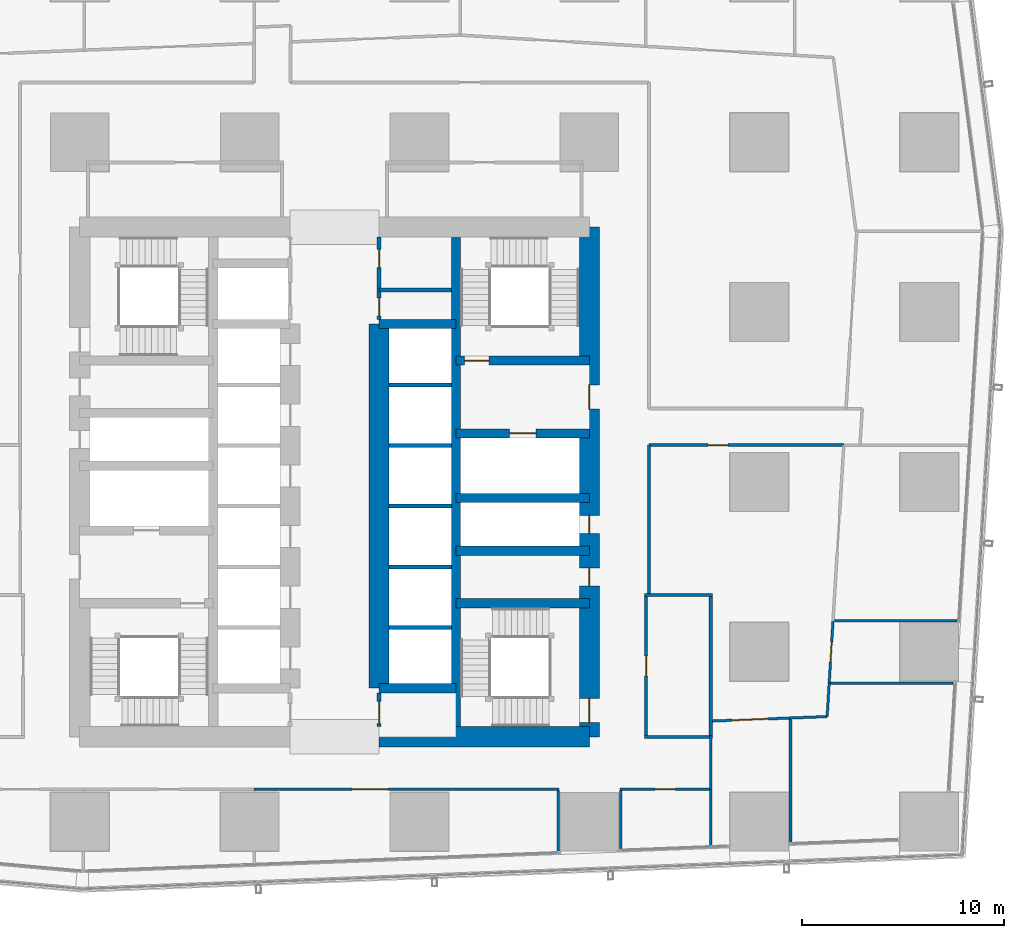
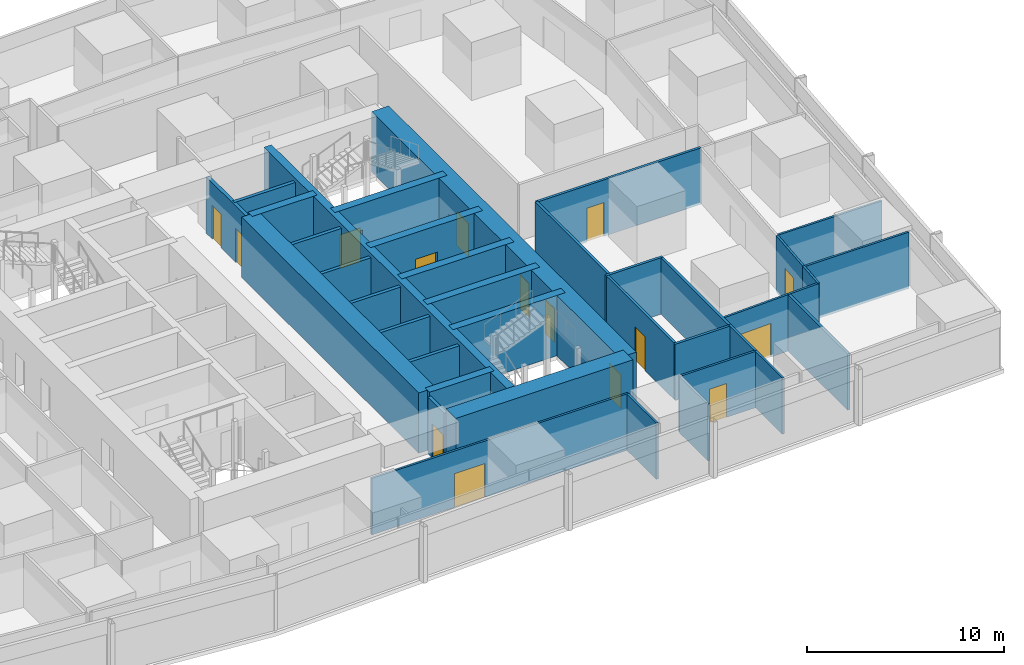
# One storey, part 30 of 40: 38 walls, 15 doors, 15 openings.
"""IFC4 building model written with IfcOpenShell, lengths in metres."""

from ifc_helpers import new_model, si_unit, direction, frame, frame_2d, origin, place, context, subcontext, project, spatial, rectangle, extrude, material, layer, layer_set, type_object, element, fill, save


model = new_model("IFC4")

# Units and contexts
model_context = context("Model", 3, precision=1e-05, world=origin(), true_north=direction((0.0, 1.0)))
body_context = subcontext(model_context, "Body", "Model", "MODEL_VIEW")
ifc_project = project(units=[si_unit("LENGTHUNIT", "METRE"), si_unit("AREAUNIT", "SQUARE_METRE"), si_unit("VOLUMEUNIT", "CUBIC_METRE"), si_unit("PLANEANGLEUNIT", "RADIAN"), si_unit("MASSUNIT", "GRAM", prefix="KILO")], contexts=[model_context])

# Site, building, storey
site_placement = place(None, origin())
site = spatial("IfcSite", under=ifc_project, at=site_placement, CompositionType="ELEMENT")
building_placement = place(site_placement, origin())
building = spatial("IfcBuilding", under=site, at=building_placement, Name="Rekha Terrace Tower", CompositionType="ELEMENT")
storey_placement = place(building_placement, frame((0.0, 0.0, 95.300048828125)))
storey = spatial("IfcBuildingStorey", under=building, at=storey_placement, Name="L23", CompositionType="ELEMENT", Elevation=95.300048828125)

# Walls
ifc_material_1 = material(Name="Concrete M70", Category="concrete")
ifc_layer_1 = layer(ifc_material_1, 0.449951171875)
ifc_layer_set_1 = layer_set([ifc_layer_1], Name="Concrete M70")
wall_type_1 = type_object("IfcWallType", Name="CI2 450 core internal shear wall", PredefinedType="SHEAR", material=ifc_layer_set_1)
wall_1_placement = place(storey_placement, frame((43.800048828125, 21.0, 0.0), z_axis=(0.0, 0.0, 1.0), x_axis=(0.0, 1.0, 0.0)))
element("IfcWall", 1, at=wall_1_placement, inside=storey, type_object=wall_type_1, Name="Core wall X438 L23", PredefinedType="SHEAR", context=body_context, shape_type="SweptSolid", body=[
    extrude(rectangle(XDim=25.199951171875, YDim=0.449951171875, at=frame_2d((12.60009765625, 0.0))), origin(), (0.0, 0.0, 1.0), 3.75),
])
for number, where, z_axis, x_axis, name in (
    (2, (40.0, 23.39990234375, 0.0), (0.0, 0.0, 1.0), (1.0, 0.0, 0.0), "Core wall Y234E L23"),
    (3, (40.0, 41.39990234375, 0.0), (0.0, 0.0, 1.0), (1.0, 0.0, 0.0), "Core wall Y414E L23"),
):
    element("IfcWall", number, at=place(storey_placement, frame(where, z_axis=z_axis, x_axis=x_axis)), inside=storey, type_object=wall_type_1, Name=name, PredefinedType="SHEAR", context=body_context, shape_type="SweptSolid", body=[
        extrude(rectangle(XDim=3.800048828125, YDim=0.449951171875, at=frame_2d((1.89990234375, 0.0))), origin(), (0.0, 0.0, 1.0), 3.75),
    ])
for number, where, z_axis, x_axis, name in (
    (4, (43.800048828125, 27.60009765625, 0.0), (0.0, 0.0, 1.0), (1.0, 0.0, 0.0), "Core wall Y276E L23"),
    (5, (43.800048828125, 30.199951171875, 0.0), (0.0, 0.0, 1.0), (1.0, 0.0, 0.0), "Core wall Y302E L23"),
    (6, (43.800048828125, 32.800048828125, 0.0), (0.0, 0.0, 1.0), (1.0, 0.0, 0.0), "Core wall Y328E L23"),
):
    element("IfcWall", number, at=place(storey_placement, frame(where, z_axis=z_axis, x_axis=x_axis)), inside=storey, type_object=wall_type_1, Name=name, PredefinedType="SHEAR", context=body_context, shape_type="SweptSolid", body=[
        extrude(rectangle(XDim=6.599853515625, YDim=0.449951171875, at=frame_2d((3.2998046875, 0.0))), origin(), (0.0, 0.0, 1.0), 3.75),
    ])

# Wall, opening, door
wall_2_placement = place(storey_placement, frame((43.800048828125, 36.0, 0.0), z_axis=(0.0, 0.0, 1.0), x_axis=(1.0, 0.0, 0.0)))
wall_2 = element("IfcWall", 7, at=wall_2_placement, inside=storey, type_object=wall_type_1, Name="Core wall Y360E L23", PredefinedType="SHEAR", context=body_context, shape_type="SweptSolid", body=[
    extrude(rectangle(XDim=6.599853515625, YDim=0.449951171875, at=frame_2d((3.2998046875, 0.0))), origin(), (0.0, 0.0, 1.0), 3.75),
])
opening_1_placement = place(wall_2_placement, frame((2.64990234375, 0.0, 0.0)))
opening_1 = element("IfcOpeningElement", 8, at=opening_1_placement, cuts=wall_2, Name="Opening LD2", PredefinedType="OPENING", context=body_context, shape_type="SweptSolid", body=[
    extrude(rectangle(XDim=1.300048828125, YDim=2.10009765625, at=frame_2d((0.64990234375, 1.050048828125))), frame((0.0, 0.23486328125, 0.0), z_axis=(0.0, -1.0, 0.0), x_axis=(1.0, 0.0, 0.0)), (0.0, 0.0, 1.0), 0.469970703125),
])
ifc_material_2 = material(Name="Stainless steel sliding landing door", Category="steel")
door_type_1 = type_object("IfcDoorType", Name="LD2 1300x2100 fire lift landing door", OperationType="SLIDING_TO_LEFT", PredefinedType="USERDEFINED", material=ifc_material_2)
door_1_placement = place(opening_1_placement, origin())
door_1 = element("IfcDoor", 9, at=door_1_placement, inside=storey, type_object=door_type_1, Name="Lift FL2 landing door L23", ObjectType="LIFT LANDING DOOR", OperationType="SLIDING_TO_LEFT", OverallHeight=2.10009765625, OverallWidth=1.300048828125, PredefinedType="USERDEFINED", context=body_context, shape_type="SweptSolid", body=[
    extrude(rectangle(XDim=1.300048828125, YDim=2.10009765625, at=frame_2d((0.64990234375, 1.050048828125))), frame((0.0, 0.02490234375, 0.0), z_axis=(0.0, -1.0, 0.0), x_axis=(1.0, 0.0, 0.0)), (0.0, 0.0, 1.0), 0.050048828125),
])
fill(opening_1, door_1)

wall_3_placement = place(storey_placement, frame((43.800048828125, 39.60009765625, 0.0), z_axis=(0.0, 0.0, 1.0), x_axis=(1.0, 0.0, 0.0)))
wall_3 = element("IfcWall", 10, at=wall_3_placement, inside=storey, type_object=wall_type_1, Name="Core wall Y396E L23", PredefinedType="SHEAR", context=body_context, shape_type="SweptSolid", body=[
    extrude(rectangle(XDim=6.599853515625, YDim=0.449951171875, at=frame_2d((3.2998046875, 0.0))), origin(), (0.0, 0.0, 1.0), 3.75),
])
opening_2_placement = place(wall_3_placement, frame((0.425048828125, 0.0, 0.0)))
opening_2 = element("IfcOpeningElement", 11, at=opening_2_placement, cuts=wall_3, Name="Opening D1", PredefinedType="OPENING", context=body_context, shape_type="SweptSolid", body=[
    extrude(rectangle(XDim=1.199951171875, YDim=2.10009765625, at=frame_2d((0.60009765625, 1.050048828125))), frame((0.0, 0.23486328125, 0.0), z_axis=(0.0, -1.0, 0.0), x_axis=(1.0, 0.0, 0.0)), (0.0, 0.0, 1.0), 0.469970703125),
])
ifc_material_3 = material(Name="Steel fire door", Category="steel")
door_type_2 = type_object("IfcDoorType", Name="D1 1200x2100 stair fire door", OperationType="SINGLE_SWING_RIGHT", PredefinedType="DOOR", material=ifc_material_3)
door_2_placement = place(opening_2_placement, origin())
door_2 = element("IfcDoor", 12, at=door_2_placement, inside=storey, type_object=door_type_2, Name="Stair ST2 door L23", OperationType="SINGLE_SWING_RIGHT", OverallHeight=2.10009765625, OverallWidth=1.199951171875, PredefinedType="DOOR", context=body_context, shape_type="SweptSolid", body=[
    extrude(rectangle(XDim=1.199951171875, YDim=2.10009765625, at=frame_2d((0.60009765625, 1.050048828125))), frame((0.0, 0.02490234375, 0.0), z_axis=(0.0, -1.0, 0.0), x_axis=(1.0, 0.0, 0.0)), (0.0, 0.0, 1.0), 0.050048828125),
])
fill(opening_2, door_2)

# Walls
ifc_layer_2 = layer(ifc_material_1, 1.0)
ifc_layer_set_2 = layer_set([ifc_layer_2], Name="Concrete M70")
wall_type_2 = type_object("IfcWallType", Name="LW2 1000 core lobby wall at an outrigger level", PredefinedType="SHEAR", material=ifc_layer_set_2)
wall_4_placement = place(storey_placement, frame((40.0, 23.39990234375, 0.0), z_axis=(0.0, 0.0, 1.0), x_axis=(0.0, 1.0, 0.0)))
element("IfcWall", 13, at=wall_4_placement, inside=storey, type_object=wall_type_2, Name="Core wall X400 L23", PredefinedType="SHEAR", context=body_context, shape_type="SweptSolid", body=[
    extrude(rectangle(XDim=18.0, YDim=1.0, at=frame_2d((9.0, 0.0))), origin(), (0.0, 0.0, 1.0), 3.75),
])
ifc_layer_3 = layer(ifc_material_1, 1.0)
ifc_layer_set_3 = layer_set([ifc_layer_3], Name="Concrete M70")
wall_type_3 = type_object("IfcWallType", Name="SW2 1000 core outer shear wall", PredefinedType="SHEAR", material=ifc_layer_set_3)
wall_5_placement = place(storey_placement, frame((40.0, 21.0, 0.0), z_axis=(0.0, 0.0, 1.0), x_axis=(1.0, 0.0, 0.0)))
element("IfcWall", 14, at=wall_5_placement, inside=storey, type_object=wall_type_3, Name="Core wall S2 L23", PredefinedType="SHEAR", context=body_context, shape_type="SweptSolid", body=[
    extrude(rectangle(XDim=10.39990234375, YDim=1.0, at=frame_2d((5.199951171875, 0.0))), origin(), (0.0, 0.0, 1.0), 3.75),
])

# Wall, openings, doors
wall_6_placement = place(storey_placement, frame((50.39990234375, 21.0, 0.0), z_axis=(0.0, 0.0, 1.0), x_axis=(0.0, 1.0, 0.0)))
wall_6 = element("IfcWall", 15, at=wall_6_placement, inside=storey, type_object=wall_type_3, Name="Core wall E L23", PredefinedType="SHEAR", context=body_context, shape_type="SweptSolid", body=[
    extrude(rectangle(XDim=25.199951171875, YDim=1.0, at=frame_2d((12.60009765625, 0.0))), origin(), (0.0, 0.0, 1.0), 3.75),
])
opening_3_placement = place(wall_6_placement, frame((16.199951171875, 0.0, 0.0)))
opening_3 = element("IfcOpeningElement", 16, at=opening_3_placement, cuts=wall_6, Name="Opening D2", PredefinedType="OPENING", context=body_context, shape_type="SweptSolid", body=[
    extrude(rectangle(XDim=1.199951171875, YDim=2.10009765625, at=frame_2d((0.60009765625, 1.050048828125))), frame((0.0, 0.510009765625, 0.0), z_axis=(0.0, -1.0, 0.0), x_axis=(1.0, 0.0, 0.0)), (0.0, 0.0, 1.0), 1.02001953125),
])
opening_4_placement = place(wall_6_placement, frame((10.050048828125, 0.0, 0.0)))
opening_4 = element("IfcOpeningElement", 17, at=opening_4_placement, cuts=wall_6, Name="Opening D5", PredefinedType="OPENING", context=body_context, shape_type="SweptSolid", body=[
    extrude(rectangle(XDim=0.89990234375, YDim=2.10009765625, at=frame_2d((0.449951171875, 1.050048828125))), frame((0.0, 0.510009765625, 0.0), z_axis=(0.0, -1.0, 0.0), x_axis=(1.0, 0.0, 0.0)), (0.0, 0.0, 1.0), 1.02001953125),
])
opening_5_placement = place(wall_6_placement, frame((7.449951171875, 0.0, 0.0)))
opening_5 = element("IfcOpeningElement", 18, at=opening_5_placement, cuts=wall_6, Name="Opening D5", PredefinedType="OPENING", context=body_context, shape_type="SweptSolid", body=[
    extrude(rectangle(XDim=0.89990234375, YDim=2.10009765625, at=frame_2d((0.449951171875, 1.050048828125))), frame((0.0, 0.510009765625, 0.0), z_axis=(0.0, -1.0, 0.0), x_axis=(1.0, 0.0, 0.0)), (0.0, 0.0, 1.0), 1.02001953125),
])
opening_6_placement = place(wall_6_placement, frame((0.699951171875, 0.0, 0.0)))
opening_6 = element("IfcOpeningElement", 19, at=opening_6_placement, cuts=wall_6, Name="Opening D1", PredefinedType="OPENING", context=body_context, shape_type="SweptSolid", body=[
    extrude(rectangle(XDim=1.199951171875, YDim=2.10009765625, at=frame_2d((0.60009765625, 1.050048828125))), frame((0.0, 0.510009765625, 0.0), z_axis=(0.0, -1.0, 0.0), x_axis=(1.0, 0.0, 0.0)), (0.0, 0.0, 1.0), 1.02001953125),
])
door_3_placement = place(opening_6_placement, origin())
door_3 = element("IfcDoor", 20, at=door_3_placement, inside=storey, type_object=door_type_2, Name="Stair ST3 door L23", OperationType="SINGLE_SWING_RIGHT", OverallHeight=2.10009765625, OverallWidth=1.199951171875, PredefinedType="DOOR", context=body_context, shape_type="SweptSolid", body=[
    extrude(rectangle(XDim=1.199951171875, YDim=2.10009765625, at=frame_2d((0.60009765625, 1.050048828125))), frame((0.0, 0.02490234375, 0.0), z_axis=(0.0, -1.0, 0.0), x_axis=(1.0, 0.0, 0.0)), (0.0, 0.0, 1.0), 0.050048828125),
])
fill(opening_6, door_3)
door_type_3 = type_object("IfcDoorType", Name="D2 1200x2100 firefighting lobby door", OperationType="SINGLE_SWING_LEFT", PredefinedType="DOOR", material=ifc_material_3)
door_4_placement = place(opening_3_placement, origin())
door_4 = element("IfcDoor", 21, at=door_4_placement, inside=storey, type_object=door_type_3, Name="Door flb2 L23", OperationType="SINGLE_SWING_LEFT", OverallHeight=2.10009765625, OverallWidth=1.199951171875, PredefinedType="DOOR", context=body_context, shape_type="SweptSolid", body=[
    extrude(rectangle(XDim=1.199951171875, YDim=2.10009765625, at=frame_2d((0.60009765625, 1.050048828125))), frame((0.0, 0.02490234375, 0.0), z_axis=(0.0, -1.0, 0.0), x_axis=(1.0, 0.0, 0.0)), (0.0, 0.0, 1.0), 0.050048828125),
])
fill(opening_3, door_4)
door_type_4 = type_object("IfcDoorType", Name="D5 900x2100 riser access door", OperationType="SINGLE_SWING_LEFT", PredefinedType="DOOR", material=ifc_material_3)
door_5_placement = place(opening_4_placement, origin())
door_5 = element("IfcDoor", 22, at=door_5_placement, inside=storey, type_object=door_type_4, Name="Door rs2 L23", OperationType="SINGLE_SWING_LEFT", OverallHeight=2.10009765625, OverallWidth=0.89990234375, PredefinedType="DOOR", context=body_context, shape_type="SweptSolid", body=[
    extrude(rectangle(XDim=0.89990234375, YDim=2.10009765625, at=frame_2d((0.449951171875, 1.050048828125))), frame((0.0, 0.02490234375, 0.0), z_axis=(0.0, -1.0, 0.0), x_axis=(1.0, 0.0, 0.0)), (0.0, 0.0, 1.0), 0.050048828125),
])
fill(opening_4, door_5)
door_6_placement = place(opening_5_placement, origin())
door_6 = element("IfcDoor", 23, at=door_6_placement, inside=storey, type_object=door_type_4, Name="Door ele L23", OperationType="SINGLE_SWING_LEFT", OverallHeight=2.10009765625, OverallWidth=0.89990234375, PredefinedType="DOOR", context=body_context, shape_type="SweptSolid", body=[
    extrude(rectangle(XDim=0.89990234375, YDim=2.10009765625, at=frame_2d((0.449951171875, 1.050048828125))), frame((0.0, 0.02490234375, 0.0), z_axis=(0.0, -1.0, 0.0), x_axis=(1.0, 0.0, 0.0)), (0.0, 0.0, 1.0), 0.050048828125),
])
fill(opening_5, door_6)

# Walls
ifc_material_4 = material(Name="Concrete block masonry, 1 hour", Category="masonry")
ifc_layer_4 = layer(ifc_material_4, 0.14990234375)
ifc_layer_set_4 = layer_set([ifc_layer_4], Name="Concrete block masonry, 1 hour")
wall_type_4 = type_object("IfcWallType", Name="WP2 150 tenancy partition", PredefinedType="PARTITIONING", material=ifc_layer_set_4)
for number, where, z_axis, x_axis, name in (
    (24, (53.125, 21.0, 0.0), (0.0, 0.0, 1.0), (1.0, 0.0, 0.0), "Men's WC wall L23"),
    (25, (53.125, 28.0, 0.0), (0.0, 0.0, 1.0), (1.0, 0.0, 0.0), "Men's WC wall L23"),
):
    element("IfcWall", number, at=place(storey_placement, frame(where, z_axis=z_axis, x_axis=x_axis)), inside=storey, type_object=wall_type_4, Name=name, PredefinedType="PARTITIONING", context=body_context, shape_type="SweptSolid", body=[
        extrude(rectangle(XDim=3.35009765625, YDim=0.14990234375, at=frame_2d((1.675048828125, 0.0))), origin(), (0.0, 0.0, 1.0), 3.5),
    ])

# Wall, opening, door
wall_7_placement = place(storey_placement, frame((53.199951171875, 21.074951171875, 0.0), z_axis=(0.0, 0.0, 1.0), x_axis=(0.0, 1.0, 0.0)))
wall_7 = element("IfcWall", 26, at=wall_7_placement, inside=storey, type_object=wall_type_4, Name="Men's WC wall L23", PredefinedType="PARTITIONING", context=body_context, shape_type="SweptSolid", body=[
    extrude(rectangle(XDim=6.85009765625, YDim=0.14990234375, at=frame_2d((3.425048828125, 0.0))), origin(), (0.0, 0.0, 1.0), 3.5),
])
opening_7_placement = place(wall_7_placement, frame((2.925048828125, 0.0, 0.0)))
opening_7 = element("IfcOpeningElement", 27, at=opening_7_placement, cuts=wall_7, Name="Opening D3", PredefinedType="OPENING", context=body_context, shape_type="SweptSolid", body=[
    extrude(rectangle(XDim=1.0, YDim=2.10009765625, at=frame_2d((0.5, 1.050048828125))), frame((0.0, 0.0849609375, 0.0), z_axis=(0.0, -1.0, 0.0), x_axis=(1.0, 0.0, 0.0)), (0.0, 0.0, 1.0), 0.169921875),
])
ifc_material_5 = material(Name="Laminated timber fire door", Category="wood")
door_type_5 = type_object("IfcDoorType", Name="D3 1000x2100 WC door", OperationType="SINGLE_SWING_LEFT", PredefinedType="DOOR", material=ifc_material_5)
door_7_placement = place(opening_7_placement, origin())
door_7 = element("IfcDoor", 28, at=door_7_placement, inside=storey, type_object=door_type_5, Name="Door men's wc L23", OperationType="SINGLE_SWING_LEFT", OverallHeight=2.10009765625, OverallWidth=1.0, PredefinedType="DOOR", context=body_context, shape_type="SweptSolid", body=[
    extrude(rectangle(XDim=1.0, YDim=2.10009765625, at=frame_2d((0.5, 1.050048828125))), frame((0.0, 0.02490234375, 0.0), z_axis=(0.0, -1.0, 0.0), x_axis=(1.0, 0.0, 0.0)), (0.0, 0.0, 1.0), 0.050048828125),
])
fill(opening_7, door_7)

# Walls
wall_8_placement = place(storey_placement, frame((56.39990234375, 21.074951171875, 0.0), z_axis=(0.0, 0.0, 1.0), x_axis=(0.0, 1.0, 0.0)))
element("IfcWall", 29, at=wall_8_placement, inside=storey, type_object=wall_type_4, Name="Men's WC wall L23", PredefinedType="PARTITIONING", context=body_context, shape_type="SweptSolid", body=[
    extrude(rectangle(XDim=6.85009765625, YDim=0.14990234375, at=frame_2d((3.425048828125, 0.0))), origin(), (0.0, 0.0, 1.0), 3.5),
])
wall_9_placement = place(storey_placement, frame((53.35009765625, 28.074951171875, 0.0), z_axis=(0.0, 0.0, 1.0), x_axis=(0.0, 1.0, 0.0)))
element("IfcWall", 30, at=wall_9_placement, inside=storey, type_object=wall_type_4, Name="Partition L23-O2", PredefinedType="PARTITIONING", context=body_context, shape_type="SweptSolid", body=[
    extrude(rectangle(XDim=7.345947265625, YDim=0.14990234375, at=frame_2d((3.6728515625, 0.0))), origin(), (0.0, 0.0, 1.0), 3.5),
])

# Wall, opening, door
wall_10_placement = place(storey_placement, frame((53.35009765625, 35.4208984375, 0.0), z_axis=(0.0, 0.0, 1.0), x_axis=(1.0, 0.0, 0.0)))
wall_10 = element("IfcWall", 31, at=wall_10_placement, inside=storey, type_object=wall_type_4, Name="Partition L23-O2", PredefinedType="PARTITIONING", context=body_context, shape_type="SweptSolid", body=[
    extrude(rectangle(XDim=9.6279296875, YDim=0.14990234375, at=frame_2d((4.81396484375, 0.0))), origin(), (0.0, 0.0, 1.0), 3.5),
])
opening_8_placement = place(wall_10_placement, frame((2.9140625, 0.0, 0.0)))
opening_8 = element("IfcOpeningElement", 32, at=opening_8_placement, cuts=wall_10, Name="Opening D9", PredefinedType="OPENING", context=body_context, shape_type="SweptSolid", body=[
    extrude(rectangle(XDim=1.0, YDim=2.10009765625, at=frame_2d((0.5, 1.050048828125))), frame((0.0, 0.0849609375, 0.0), z_axis=(0.0, -1.0, 0.0), x_axis=(1.0, 0.0, 0.0)), (0.0, 0.0, 1.0), 0.169921875),
])
ifc_material_6 = material(Name="Timber fire door", Category="wood")
door_type_6 = type_object("IfcDoorType", Name="D9 1000x2100 office door", OperationType="SINGLE_SWING_LEFT", PredefinedType="DOOR", material=ifc_material_6)
door_8_placement = place(opening_8_placement, origin())
door_8 = element("IfcDoor", 33, at=door_8_placement, inside=storey, type_object=door_type_6, Name="Door open-plan office L23", OperationType="SINGLE_SWING_LEFT", OverallHeight=2.10009765625, OverallWidth=1.0, PredefinedType="DOOR", context=body_context, shape_type="SweptSolid", body=[
    extrude(rectangle(XDim=1.0, YDim=2.10009765625, at=frame_2d((0.5, 1.050048828125))), frame((0.0, 0.02490234375, 0.0), z_axis=(0.0, -1.0, 0.0), x_axis=(1.0, 0.0, 0.0)), (0.0, 0.0, 1.0), 0.050048828125),
])
fill(opening_8, door_8)

# Walls
wall_11_placement = place(storey_placement, frame((60.35498046875, 21.865966796875, 0.0), z_axis=(0.0, 0.0, 1.0), x_axis=(0.0, -1.0, 0.0)))
element("IfcWall", 34, at=wall_11_placement, inside=storey, type_object=wall_type_4, Name="Partition L23-O2", PredefinedType="PARTITIONING", context=body_context, shape_type="SweptSolid", body=[
    extrude(rectangle(XDim=6.06201171875, YDim=0.14990234375, at=frame_2d((3.031005859375, 0.0))), origin(), (0.0, 0.0, 1.0), 3.5),
])
ifc_material_7 = material(Name="Two layers of fire-rated gypsum board each side on steel studs, acoustic quilt, 1 hour", Category="steel")
ifc_layer_5 = layer(ifc_material_7, 0.125)
ifc_layer_set_5 = layer_set([ifc_layer_5], Name="Two layers of fire-rated gypsum board each side on steel studs, acoustic quilt, 1 hour")
wall_type_5 = type_object("IfcWallType", Name="WP3 125 office partition", PredefinedType="PARTITIONING", material=ifc_layer_set_5)
wall_12_placement = place(storey_placement, frame((51.943115234375, 15.47705078125, 0.0), z_axis=(0.0, 0.0, 1.0), x_axis=(0.0, 1.0, 0.0)))
element("IfcWall", 35, at=wall_12_placement, inside=storey, type_object=wall_type_5, Name="Partition L23-14", PredefinedType="PARTITIONING", context=body_context, shape_type="SweptSolid", body=[
    extrude(rectangle(XDim=2.85986328125, YDim=0.125, at=frame_2d((1.429931640625, 0.0))), origin(), (0.0, 0.0, 1.0), 3.5),
])

# Wall, opening, door
wall_13_placement = place(storey_placement, frame((51.906982421875, 18.39990234375, 0.0), z_axis=(0.0, 0.0, 1.0), x_axis=(1.0, 0.0, 0.0)))
wall_13 = element("IfcWall", 36, at=wall_13_placement, inside=storey, type_object=wall_type_5, Name="Partition L23-14", PredefinedType="PARTITIONING", context=body_context, shape_type="SweptSolid", body=[
    extrude(rectangle(XDim=4.492919921875, YDim=0.125, at=frame_2d((2.24658203125, 0.0))), origin(), (0.0, 0.0, 1.0), 3.5),
])
opening_9_placement = place(wall_13_placement, frame((1.74609375, 0.0, 0.0)))
opening_9 = element("IfcOpeningElement", 37, at=opening_9_placement, cuts=wall_13, Name="Opening D9", PredefinedType="OPENING", context=body_context, shape_type="SweptSolid", body=[
    extrude(rectangle(XDim=1.0, YDim=2.10009765625, at=frame_2d((0.5, 1.050048828125))), frame((0.0, 0.072509765625, 0.0), z_axis=(0.0, -1.0, 0.0), x_axis=(1.0, 0.0, 0.0)), (0.0, 0.0, 1.0), 0.14501953125),
])
door_9_placement = place(opening_9_placement, origin())
door_9 = element("IfcDoor", 38, at=door_9_placement, inside=storey, type_object=door_type_6, Name="Door storage room L23", OperationType="SINGLE_SWING_LEFT", OverallHeight=2.10009765625, OverallWidth=1.0, PredefinedType="DOOR", context=body_context, shape_type="SweptSolid", body=[
    extrude(rectangle(XDim=1.0, YDim=2.10009765625, at=frame_2d((0.5, 1.050048828125))), frame((0.0, 0.02490234375, 0.0), z_axis=(0.0, -1.0, 0.0), x_axis=(1.0, 0.0, 0.0)), (0.0, 0.0, 1.0), 0.050048828125),
])
fill(opening_9, door_9)

# Walls
wall_14_placement = place(storey_placement, frame((56.39990234375, 18.39990234375, 0.0), z_axis=(0.0, 0.0, 1.0), x_axis=(0.000351308603, -0.999999938291, 0.0)))
element("IfcWall", 39, at=wall_14_placement, inside=storey, type_object=wall_type_5, Name="Partition L23-14", PredefinedType="PARTITIONING", context=body_context, shape_type="SweptSolid", body=[
    extrude(rectangle(XDim=2.77978515625, YDim=0.125, at=frame_2d((1.389892578125, 0.0))), origin(), (0.0, 0.0, 1.0), 3.5),
])
wall_15_placement = place(storey_placement, frame((56.402099609375, 18.39990234375, 0.0), z_axis=(0.0, 0.0, 1.0), x_axis=(0.0, 1.0, 0.0)))
element("IfcWall", 40, at=wall_15_placement, inside=storey, type_object=wall_type_5, Name="Partition L23-15", PredefinedType="PARTITIONING", context=body_context, shape_type="SweptSolid", body=[
    extrude(rectangle(XDim=2.675048828125, YDim=0.125, at=frame_2d((1.33740234375, 0.0))), origin(), (0.0, 0.0, 1.0), 3.5),
])

# Wall, opening, door
wall_16_placement = place(storey_placement, frame((56.47509765625, 21.778076171875, 0.0), z_axis=(0.0, 0.0, 1.0), x_axis=(0.999244807444, 0.038856335344, 0.0)))
wall_16 = element("IfcWall", 41, at=wall_16_placement, inside=storey, type_object=wall_type_5, Name="Partition L23-15", PredefinedType="PARTITIONING", context=body_context, shape_type="SweptSolid", body=[
    extrude(rectangle(XDim=3.832763671875, YDim=0.125, at=frame_2d((1.91650390625, 0.0))), origin(), (0.0, 0.0, 1.0), 3.5),
])
opening_10_placement = place(wall_16_placement, frame((0.97998046875, 0.0, 0.0)))
opening_10 = element("IfcOpeningElement", 42, at=opening_10_placement, cuts=wall_16, Name="Opening D8", PredefinedType="OPENING", context=body_context, shape_type="SweptSolid", body=[
    extrude(rectangle(XDim=1.800048828125, YDim=2.10009765625, at=frame_2d((0.89990234375, 1.050048828125))), frame((0.0, 0.072509765625, 0.0), z_axis=(0.0, -1.0, 0.0), x_axis=(1.0, 0.0, 0.0)), (0.0, 0.0, 1.0), 0.14501953125),
])
door_type_7 = type_object("IfcDoorType", Name="D8 1800x2100 double leaf door", OperationType="DOUBLE_DOOR_SINGLE_SWING", PredefinedType="DOOR", material=ifc_material_6)
door_10_placement = place(opening_10_placement, origin())
door_10 = element("IfcDoor", 43, at=door_10_placement, inside=storey, type_object=door_type_7, Name="Door breakout lounge L23", OperationType="DOUBLE_DOOR_SINGLE_SWING", OverallHeight=2.10009765625, OverallWidth=1.800048828125, PredefinedType="DOOR", context=body_context, shape_type="SweptSolid", body=[
    extrude(rectangle(XDim=1.800048828125, YDim=2.10009765625, at=frame_2d((0.89990234375, 1.050048828125))), frame((0.0, 0.02490234375, 0.0), z_axis=(0.0, -1.0, 0.0), x_axis=(1.0, 0.0, 0.0)), (0.0, 0.0, 1.0), 0.050048828125),
])
fill(opening_10, door_10)

# Walls
wall_17_placement = place(storey_placement, frame((60.304931640625, 21.927001953125, 0.0), z_axis=(0.0, 0.0, 1.0), x_axis=(0.999243944403, 0.038878523292, 0.0)))
element("IfcWall", 44, at=wall_17_placement, inside=storey, type_object=wall_type_5, Name="Partition L23-15", PredefinedType="PARTITIONING", context=body_context, shape_type="SweptSolid", body=[
    extrude(rectangle(XDim=1.8525390625, YDim=0.125, at=frame_2d((0.92626953125, 0.0))), origin(), (0.0, 0.0, 1.0), 3.5),
])
wall_18_placement = place(storey_placement, frame((62.156005859375, 21.9990234375, 0.0), z_axis=(0.0, 0.0, 1.0), x_axis=(0.060782070361, 0.998151060673, 0.0)))
element("IfcWall", 45, at=wall_18_placement, inside=storey, type_object=wall_type_5, Name="Partition L23-15", PredefinedType="PARTITIONING", context=body_context, shape_type="SweptSolid", body=[
    extrude(rectangle(XDim=1.695068359375, YDim=0.125, at=frame_2d((0.84765625, 0.0))), origin(), (0.0, 0.0, 1.0), 3.5),
])
wall_19_placement = place(storey_placement, frame((62.320068359375, 23.656982421875, 0.0), z_axis=(0.0, 0.0, 1.0), x_axis=(1.0, 0.0, 0.0)))
element("IfcWall", 46, at=wall_19_placement, inside=storey, type_object=wall_type_5, Name="Partition L23-15", PredefinedType="PARTITIONING", context=body_context, shape_type="SweptSolid", body=[
    extrude(rectangle(XDim=6.06884765625, YDim=0.125, at=frame_2d((3.034423828125, 0.0))), origin(), (0.0, 0.0, 1.0), 3.5),
])

# Wall, opening, door
wall_20_placement = place(storey_placement, frame((62.259033203125, 23.69189453125, 0.0), z_axis=(0.0, 0.0, 1.0), x_axis=(0.061365192518, 0.998115380679, 0.0)))
wall_20 = element("IfcWall", 47, at=wall_20_placement, inside=storey, type_object=wall_type_5, Name="Partition L23-16", PredefinedType="PARTITIONING", context=body_context, shape_type="SweptSolid", body=[
    extrude(rectangle(XDim=3.015625, YDim=0.125, at=frame_2d((1.5078125, 0.0))), origin(), (0.0, 0.0, 1.0), 3.5),
])
opening_11_placement = place(wall_20_placement, frame((1.008056640625, 0.0, 0.0)))
opening_11 = element("IfcOpeningElement", 48, at=opening_11_placement, cuts=wall_20, Name="Opening D9", PredefinedType="OPENING", context=body_context, shape_type="SweptSolid", body=[
    extrude(rectangle(XDim=1.0, YDim=2.10009765625, at=frame_2d((0.5, 1.050048828125))), frame((0.0, 0.072509765625, 0.0), z_axis=(0.0, -1.0, 0.0), x_axis=(1.0, 0.0, 0.0)), (0.0, 0.0, 1.0), 0.14501953125),
])
door_11_placement = place(opening_11_placement, origin())
door_11 = element("IfcDoor", 49, at=door_11_placement, inside=storey, type_object=door_type_6, Name="Door training and meeting room L23", OperationType="SINGLE_SWING_LEFT", OverallHeight=2.10009765625, OverallWidth=1.0, PredefinedType="DOOR", context=body_context, shape_type="SweptSolid", body=[
    extrude(rectangle(XDim=1.0, YDim=2.10009765625, at=frame_2d((0.5, 1.050048828125))), frame((0.0, 0.02490234375, 0.0), z_axis=(0.0, -1.0, 0.0), x_axis=(1.0, 0.0, 0.0)), (0.0, 0.0, 1.0), 0.050048828125),
])
fill(opening_11, door_11)

# Wall
wall_21_placement = place(storey_placement, frame((62.509033203125, 26.741943359375, 0.0), z_axis=(0.0, 0.0, 1.0), x_axis=(1.0, 0.0, 0.0)))
element("IfcWall", 50, at=wall_21_placement, inside=storey, type_object=wall_type_5, Name="Partition L23-16", PredefinedType="PARTITIONING", context=body_context, shape_type="SweptSolid", body=[
    extrude(rectangle(XDim=6.06884765625, YDim=0.125, at=frame_2d((3.034423828125, 0.0))), origin(), (0.0, 0.0, 1.0), 3.5),
])

# Wall, opening, door
wall_22_placement = place(storey_placement, frame((33.825927734375, 18.39990234375, 0.0), z_axis=(0.0, 0.0, 1.0), x_axis=(1.0, 0.0, 0.0)))
wall_22 = element("IfcWall", 51, at=wall_22_placement, inside=storey, type_object=wall_type_5, Name="Partition L23-22", PredefinedType="PARTITIONING", context=body_context, shape_type="SweptSolid", body=[
    extrude(rectangle(XDim=15.073974609375, YDim=0.125, at=frame_2d((7.537109375, 0.0))), origin(), (0.0, 0.0, 1.0), 3.5),
])
opening_12_placement = place(wall_22_placement, frame((4.8369140625, 0.0, 0.0)))
opening_12 = element("IfcOpeningElement", 52, at=opening_12_placement, cuts=wall_22, Name="Opening D8", PredefinedType="OPENING", context=body_context, shape_type="SweptSolid", body=[
    extrude(rectangle(XDim=1.800048828125, YDim=2.10009765625, at=frame_2d((0.89990234375, 1.050048828125))), frame((0.0, 0.072509765625, 0.0), z_axis=(0.0, -1.0, 0.0), x_axis=(1.0, 0.0, 0.0)), (0.0, 0.0, 1.0), 0.14501953125),
])
door_12_placement = place(opening_12_placement, origin())
door_12 = element("IfcDoor", 53, at=door_12_placement, inside=storey, type_object=door_type_7, Name="Door breakout lounge L23", OperationType="DOUBLE_DOOR_SINGLE_SWING", OverallHeight=2.10009765625, OverallWidth=1.800048828125, PredefinedType="DOOR", context=body_context, shape_type="SweptSolid", body=[
    extrude(rectangle(XDim=1.800048828125, YDim=2.10009765625, at=frame_2d((0.89990234375, 1.050048828125))), frame((0.0, 0.02490234375, 0.0), z_axis=(0.0, -1.0, 0.0), x_axis=(1.0, 0.0, 0.0)), (0.0, 0.0, 1.0), 0.050048828125),
])
fill(opening_12, door_12)

# Walls
wall_23_placement = place(storey_placement, frame((48.85693359375, 18.3369140625, 0.0), z_axis=(0.0, 0.0, 1.0), x_axis=(0.0, -1.0, 0.0)))
element("IfcWall", 54, at=wall_23_placement, inside=storey, type_object=wall_type_5, Name="Partition L23-22", PredefinedType="PARTITIONING", context=body_context, shape_type="SweptSolid", body=[
    extrude(rectangle(XDim=2.97998046875, YDim=0.125, at=frame_2d((1.489990234375, 0.0))), origin(), (0.0, 0.0, 1.0), 3.5),
])
ifc_material_8 = material(Name="Solid concrete block masonry, 2 hour", Category="masonry")
ifc_layer_6 = layer(ifc_material_8, 0.199951171875)
ifc_layer_set_6 = layer_set([ifc_layer_6], Name="Solid concrete block masonry, 2 hour")
wall_type_6 = type_object("IfcWallType", Name="WS1 200 stair and shaft enclosure", PredefinedType="PARTITIONING", material=ifc_layer_set_6)
for number, where, z_axis, x_axis, name in (
    (55, (40.5, 26.39990234375, 0.0), (0.0, 0.0, 1.0), (1.0, 0.0, 0.0), "Lift shaft divider L23"),
    (56, (40.5, 29.39990234375, 0.0), (0.0, 0.0, 1.0), (1.0, 0.0, 0.0), "Lift shaft divider L23"),
    (57, (40.5, 32.39990234375, 0.0), (0.0, 0.0, 1.0), (1.0, 0.0, 0.0), "Lift shaft divider L23"),
    (58, (40.5, 35.39990234375, 0.0), (0.0, 0.0, 1.0), (1.0, 0.0, 0.0), "Lift shaft divider L23"),
    (59, (40.5, 38.39990234375, 0.0), (0.0, 0.0, 1.0), (1.0, 0.0, 0.0), "Lift shaft divider L23"),
):
    element("IfcWall", number, at=place(storey_placement, frame(where, z_axis=z_axis, x_axis=x_axis)), inside=storey, type_object=wall_type_6, Name=name, PredefinedType="PARTITIONING", context=body_context, shape_type="SweptSolid", body=[
        extrude(rectangle(XDim=3.074951171875, YDim=0.199951171875, at=frame_2d((1.53759765625, 0.0))), origin(), (0.0, 0.0, 1.0), 3.5),
    ])

# Wall, opening, door
wall_24_placement = place(storey_placement, frame((40.0, 21.5, 0.0), z_axis=(0.0, 0.0, 1.0), x_axis=(0.0, 1.0, 0.0)))
wall_24 = element("IfcWall", 60, at=wall_24_placement, inside=storey, type_object=wall_type_6, Name="Core partition wca L23", PredefinedType="PARTITIONING", context=body_context, shape_type="SweptSolid", body=[
    extrude(rectangle(XDim=1.675048828125, YDim=0.199951171875, at=frame_2d((0.83740234375, 0.0))), origin(), (0.0, 0.0, 1.0), 3.5),
])
opening_13_placement = place(wall_24_placement, frame((0.14990234375, 0.0, 0.0)))
opening_13 = element("IfcOpeningElement", 61, at=opening_13_placement, cuts=wall_24, Name="Opening D4", PredefinedType="OPENING", context=body_context, shape_type="SweptSolid", body=[
    extrude(rectangle(XDim=1.10009765625, YDim=2.10009765625, at=frame_2d((0.550048828125, 1.050048828125))), frame((0.0, 0.10986328125, 0.0), z_axis=(0.0, -1.0, 0.0), x_axis=(1.0, 0.0, 0.0)), (0.0, 0.0, 1.0), 0.219970703125),
])
door_type_8 = type_object("IfcDoorType", Name="D4 1100x2100 accessible WC door", OperationType="SLIDING_TO_LEFT", PredefinedType="DOOR", material=ifc_material_5)
door_13_placement = place(opening_13_placement, origin())
door_13 = element("IfcDoor", 62, at=door_13_placement, inside=storey, type_object=door_type_8, Name="Door wca L23", OperationType="SLIDING_TO_LEFT", OverallHeight=2.10009765625, OverallWidth=1.10009765625, PredefinedType="DOOR", context=body_context, shape_type="SweptSolid", body=[
    extrude(rectangle(XDim=1.10009765625, YDim=2.10009765625, at=frame_2d((0.550048828125, 1.050048828125))), frame((0.0, 0.02490234375, 0.0), z_axis=(0.0, -1.0, 0.0), x_axis=(1.0, 0.0, 0.0)), (0.0, 0.0, 1.0), 0.050048828125),
])
fill(opening_13, door_13)

# Wall, openings, doors
wall_25_placement = place(storey_placement, frame((40.0, 41.625, 0.0), z_axis=(0.0, 0.0, 1.0), x_axis=(0.0, 1.0, 0.0)))
wall_25 = element("IfcWall", 63, at=wall_25_placement, inside=storey, type_object=wall_type_6, Name="Core partition elec L23", PredefinedType="PARTITIONING", context=body_context, shape_type="SweptSolid", body=[
    extrude(rectangle(XDim=4.074951171875, YDim=0.199951171875, at=frame_2d((2.03759765625, 0.0))), origin(), (0.0, 0.0, 1.0), 3.5),
])
opening_14_placement = place(wall_25_placement, frame((2.574951171875, 0.0, 0.0)))
opening_14 = element("IfcOpeningElement", 64, at=opening_14_placement, cuts=wall_25, Name="Opening D5", PredefinedType="OPENING", context=body_context, shape_type="SweptSolid", body=[
    extrude(rectangle(XDim=0.89990234375, YDim=2.10009765625, at=frame_2d((0.449951171875, 1.050048828125))), frame((0.0, 0.10986328125, 0.0), z_axis=(0.0, -1.0, 0.0), x_axis=(1.0, 0.0, 0.0)), (0.0, 0.0, 1.0), 0.219970703125),
])
opening_15_placement = place(wall_25_placement, frame((0.175048828125, 0.0, 0.0)))
opening_15 = element("IfcOpeningElement", 65, at=opening_15_placement, cuts=wall_25, Name="Opening D5", PredefinedType="OPENING", context=body_context, shape_type="SweptSolid", body=[
    extrude(rectangle(XDim=0.89990234375, YDim=2.10009765625, at=frame_2d((0.449951171875, 1.050048828125))), frame((0.0, 0.10986328125, 0.0), z_axis=(0.0, -1.0, 0.0), x_axis=(1.0, 0.0, 0.0)), (0.0, 0.0, 1.0), 0.219970703125),
])
door_14_placement = place(opening_14_placement, origin())
door_14 = element("IfcDoor", 66, at=door_14_placement, inside=storey, type_object=door_type_4, Name="Door electrical room L23", OperationType="SINGLE_SWING_LEFT", OverallHeight=2.10009765625, OverallWidth=0.89990234375, PredefinedType="DOOR", context=body_context, shape_type="SweptSolid", body=[
    extrude(rectangle(XDim=0.89990234375, YDim=2.10009765625, at=frame_2d((0.449951171875, 1.050048828125))), frame((0.0, 0.02490234375, 0.0), z_axis=(0.0, -1.0, 0.0), x_axis=(1.0, 0.0, 0.0)), (0.0, 0.0, 1.0), 0.050048828125),
])
fill(opening_14, door_14)
door_15_placement = place(opening_15_placement, origin())
door_15 = element("IfcDoor", 67, at=door_15_placement, inside=storey, type_object=door_type_4, Name="Door mother's room L23", OperationType="SINGLE_SWING_LEFT", OverallHeight=2.10009765625, OverallWidth=0.89990234375, PredefinedType="DOOR", context=body_context, shape_type="SweptSolid", body=[
    extrude(rectangle(XDim=0.89990234375, YDim=2.10009765625, at=frame_2d((0.449951171875, 1.050048828125))), frame((0.0, 0.02490234375, 0.0), z_axis=(0.0, -1.0, 0.0), x_axis=(1.0, 0.0, 0.0)), (0.0, 0.0, 1.0), 0.050048828125),
])
fill(opening_15, door_15)

# Wall
wall_26_placement = place(storey_placement, frame((40.0, 43.10009765625, 0.0), z_axis=(0.0, 0.0, 1.0), x_axis=(1.0, 0.0, 0.0)))
element("IfcWall", 68, at=wall_26_placement, inside=storey, type_object=wall_type_6, Name="Core partition elx L23", PredefinedType="PARTITIONING", context=body_context, shape_type="SweptSolid", body=[
    extrude(rectangle(XDim=3.574951171875, YDim=0.199951171875, at=frame_2d((1.78759765625, 0.0))), origin(), (0.0, 0.0, 1.0), 3.5),
])

save(model, "model.ifc")
